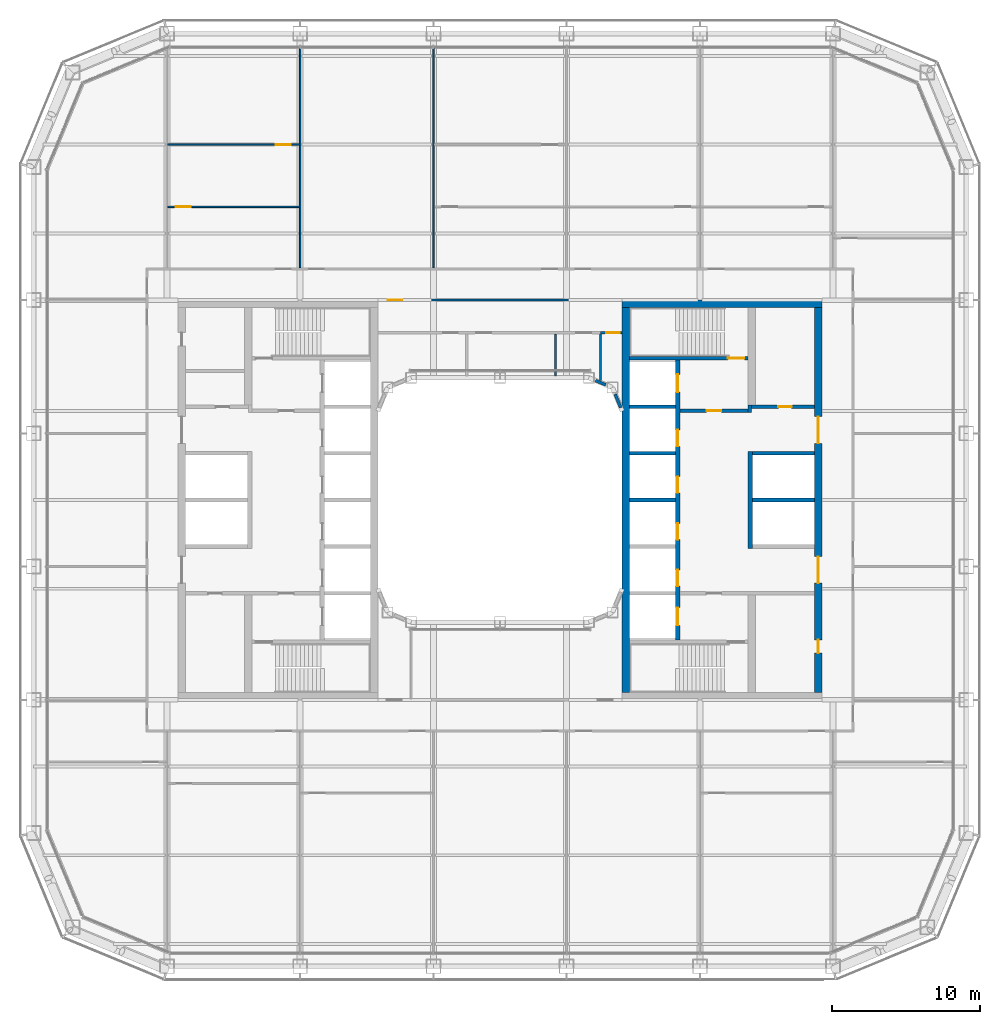
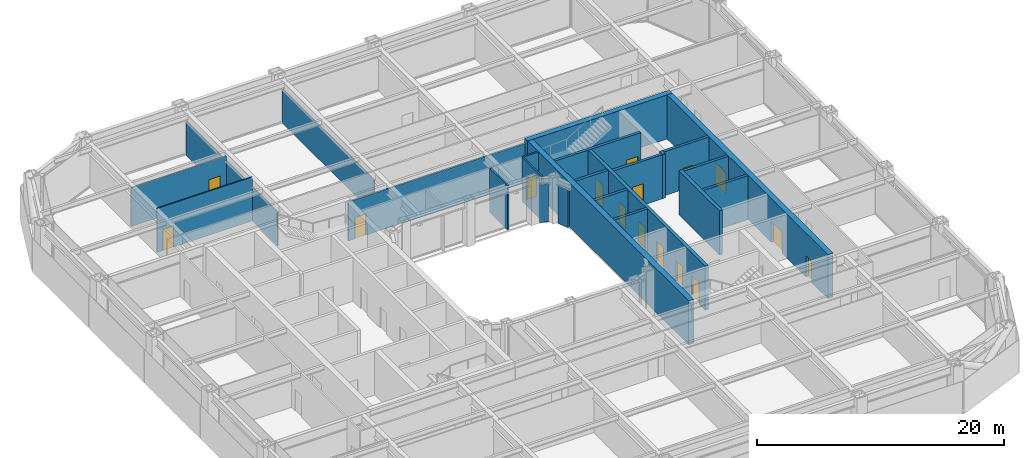
# One storey, part 14 of 25: 24 walls, 16 doors, 16 openings.
"""IFC4 building model written with IfcOpenShell, lengths in metres."""

from ifc_helpers import new_model, si_unit, direction, frame, frame_2d, origin, place, context, subcontext, project, spatial, rectangle, extrude, material, layer, layer_set, type_object, element, fill, save


model = new_model("IFC4")

# Units and contexts
model_context = context("Model", 3, precision=1e-05, world=origin(), true_north=direction((0.0, 1.0)))
body_context = subcontext(model_context, "Body", "Model", "MODEL_VIEW")
ifc_project = project(units=[si_unit("LENGTHUNIT", "METRE"), si_unit("AREAUNIT", "SQUARE_METRE"), si_unit("VOLUMEUNIT", "CUBIC_METRE"), si_unit("PLANEANGLEUNIT", "RADIAN"), si_unit("MASSUNIT", "GRAM", prefix="KILO")], contexts=[model_context])

# Site, building, storey
site_placement = place(None, origin())
site = spatial("IfcSite", under=ifc_project, at=site_placement, CompositionType="ELEMENT")
building_placement = place(site_placement, origin())
building = spatial("IfcBuilding", under=site, at=building_placement, Name="Siwar Civic Tower", CompositionType="ELEMENT")
storey_placement = place(building_placement, frame((0.0, 0.0, 58.199951171875)))
storey = spatial("IfcBuildingStorey", under=building, at=storey_placement, Name="L12", CompositionType="ELEMENT", Elevation=58.199951171875)

# Wall, opening, door
ifc_material_1 = material(Name="Gypsum board on steel studs", Category="steel")
ifc_layer_1 = layer(ifc_material_1, 0.14990234375)
ifc_layer_set_1 = layer_set([ifc_layer_1], Name="Gypsum board on steel studs")
wall_type_1 = type_object("IfcWallType", Name="COMPARTMENT PARTITION 150 EI 60", PredefinedType="PARTITIONING", material=ifc_layer_set_1)
wall_1_placement = place(storey_placement, frame((6.780029296875, 11.300048828125, 0.0), z_axis=(0.0, 0.0, 1.0), x_axis=(1.0, 0.0, 0.0)))
wall_1 = element("IfcWall", 1, at=wall_1_placement, inside=storey, type_object=wall_type_1, Name="L12/wall/P15", PredefinedType="PARTITIONING", context=body_context, shape_type="SweptSolid", body=[
    extrude(rectangle(XDim=1.469970703125, YDim=0.14990234375, at=frame_2d((0.73486328125, 0.0))), origin(), (0.0, 0.0, 1.0), 4.35009765625),
])
opening_1_placement = place(wall_1_placement, frame((0.39990234375, 0.0, 0.0)))
opening_1 = element("IfcOpeningElement", 2, at=opening_1_placement, cuts=wall_1, Name="Opening D4", PredefinedType="OPENING", context=body_context, shape_type="SweptSolid", body=[
    extrude(rectangle(XDim=0.89990234375, YDim=2.10009765625, at=frame_2d((0.449951171875, 1.050048828125))), frame((0.0, 0.0849609375, 0.0), z_axis=(0.0, -1.0, 0.0), x_axis=(1.0, 0.0, 0.0)), (0.0, 0.0, 1.0), 0.169921875),
])
ifc_material_2 = material(Name="Timber, painted", Category="wood")
door_type_1 = type_object("IfcDoorType", Name="DOOR 900 X 2100 FD60", OperationType="SINGLE_SWING_LEFT", PredefinedType="DOOR", material=ifc_material_2)
door_1_placement = place(opening_1_placement, origin())
door_1 = element("IfcDoor", 3, at=door_1_placement, inside=storey, type_object=door_type_1, Name="L12-D37", OperationType="SINGLE_SWING_LEFT", OverallHeight=2.10009765625, OverallWidth=0.89990234375, PredefinedType="DOOR", context=body_context, shape_type="SweptSolid", body=[
    extrude(rectangle(XDim=0.89990234375, YDim=2.10009765625, at=frame_2d((0.449951171875, 1.050048828125))), frame((0.0, 0.02490234375, 0.0), z_axis=(0.0, -1.0, 0.0), x_axis=(1.0, 0.0, 0.0)), (0.0, 0.0, 1.0), 0.050048828125),
])
fill(opening_1, door_1)

# Wall
wall_2_placement = place(storey_placement, frame((6.780029296875, 8.0791015625, 0.0), z_axis=(0.0, 0.0, 1.0), x_axis=(0.0, 1.0, 0.0)))
element("IfcWall", 4, at=wall_2_placement, inside=storey, type_object=wall_type_1, Name="L12/wall/P38", PredefinedType="PARTITIONING", context=body_context, shape_type="SweptSolid", body=[
    extrude(rectangle(XDim=3.14599609375, YDim=0.14990234375, at=frame_2d((1.572998046875, 0.0))), origin(), (0.0, 0.0, 1.0), 4.35009765625),
])

# Wall, opening, door
ifc_material_3 = material(Name="Concrete C60/75", Category="concrete")
ifc_layer_2 = layer(ifc_material_3, 0.25)
ifc_layer_set_2 = layer_set([ifc_layer_2], Name="Concrete C60/75")
wall_type_2 = type_object("IfcWallType", Name="CORE-WALL-RC250", PredefinedType="SHEAR", material=ifc_layer_set_2)
wall_3_placement = place(storey_placement, frame((12.14990234375, 6.02490234375, 0.0), z_axis=(0.0, 0.0, 1.0), x_axis=(1.0, 0.0, 0.0)))
wall_3 = element("IfcWall", 5, at=wall_3_placement, inside=storey, type_object=wall_type_2, Name="Core wall E", PredefinedType="SHEAR", context=body_context, shape_type="SweptSolid", body=[
    extrude(rectangle(XDim=4.60009765625, YDim=0.25, at=frame_2d((2.300048828125, 0.0))), origin(), (0.0, 0.0, 1.0), 4.35009765625),
])
opening_2_placement = place(wall_3_placement, frame((1.800048828125, 0.0, 0.0)))
opening_2 = element("IfcOpeningElement", 6, at=opening_2_placement, cuts=wall_3, Name="Opening L12-CE01", PredefinedType="OPENING", context=body_context, shape_type="SweptSolid", body=[
    extrude(rectangle(XDim=1.0, YDim=2.10009765625, at=frame_2d((0.5, 1.050048828125))), frame((0.0, 0.135009765625, 0.0), z_axis=(0.0, -1.0, 0.0), x_axis=(1.0, 0.0, 0.0)), (0.0, 0.0, 1.0), 0.27001953125),
])
ifc_material_4 = material(Name="Steel door leaf", Category="steel")
door_type_2 = type_object("IfcDoorType", Name="CORE-DOOR-FD30S", OperationType="SINGLE_SWING_LEFT", PredefinedType="DOOR", material=ifc_material_4)
door_2_placement = place(opening_2_placement, origin())
door_2 = element("IfcDoor", 7, at=door_2_placement, inside=storey, type_object=door_type_2, Name="Firefighting lobby door L12-CE01", OperationType="SINGLE_SWING_RIGHT", OverallHeight=2.10009765625, OverallWidth=1.0, PredefinedType="DOOR", context=body_context, shape_type="SweptSolid", body=[
    extrude(rectangle(XDim=1.0, YDim=2.10009765625, at=frame_2d((0.5, 1.050048828125))), frame((0.0, 0.02490234375, 0.0), z_axis=(0.0, -1.0, 0.0), x_axis=(1.0, 0.0, 0.0)), (0.0, 0.0, 1.0), 0.050048828125),
])
fill(opening_2, door_2)

# Wall
wall_4_placement = place(storey_placement, frame((16.875, 5.89990234375, 0.0), z_axis=(0.0, 0.0, 1.0), x_axis=(0.0, 1.0, 0.0)))
element("IfcWall", 8, at=wall_4_placement, inside=storey, type_object=wall_type_2, Name="Core wall E", PredefinedType="SHEAR", context=body_context, shape_type="SweptSolid", body=[
    extrude(rectangle(XDim=0.525146484375, YDim=0.25, at=frame_2d((0.2626953125, 0.0))), origin(), (0.0, 0.0, 1.0), 4.35009765625),
])

# Wall, opening, door
wall_5_placement = place(storey_placement, frame((17.0, 6.300048828125, 0.0), z_axis=(0.0, 0.0, 1.0), x_axis=(1.0, 0.0, 0.0)))
wall_5 = element("IfcWall", 9, at=wall_5_placement, inside=storey, type_object=wall_type_2, Name="Core wall E", PredefinedType="SHEAR", context=body_context, shape_type="SweptSolid", body=[
    extrude(rectangle(XDim=4.25, YDim=0.25, at=frame_2d((2.125, 0.0))), origin(), (0.0, 0.0, 1.0), 4.35009765625),
])
opening_3_placement = place(wall_5_placement, frame((1.800048828125, 0.0, 0.0)))
opening_3 = element("IfcOpeningElement", 10, at=opening_3_placement, cuts=wall_5, Name="Opening L12-CE13", PredefinedType="OPENING", context=body_context, shape_type="SweptSolid", body=[
    extrude(rectangle(XDim=0.89990234375, YDim=2.10009765625, at=frame_2d((0.449951171875, 1.050048828125))), frame((0.0, 0.135009765625, 0.0), z_axis=(0.0, -1.0, 0.0), x_axis=(1.0, 0.0, 0.0)), (0.0, 0.0, 1.0), 0.27001953125),
])
ifc_material_5 = material(Name="Steel door leaf", Category="steel")
door_type_3 = type_object("IfcDoorType", Name="CORE-DOOR-ROOM", OperationType="SINGLE_SWING_LEFT", PredefinedType="DOOR", material=ifc_material_5)
door_3_placement = place(opening_3_placement, origin())
door_3 = element("IfcDoor", 11, at=door_3_placement, inside=storey, type_object=door_type_3, Name="Core room door L12-CE13", OperationType="SINGLE_SWING_RIGHT", OverallHeight=2.10009765625, OverallWidth=0.89990234375, PredefinedType="DOOR", context=body_context, shape_type="SweptSolid", body=[
    extrude(rectangle(XDim=0.89990234375, YDim=2.10009765625, at=frame_2d((0.449951171875, 1.050048828125))), frame((0.0, 0.02490234375, 0.0), z_axis=(0.0, -1.0, 0.0), x_axis=(1.0, 0.0, 0.0)), (0.0, 0.0, 1.0), 0.050048828125),
])
fill(opening_3, door_3)

# Walls
for number, where, z_axis, x_axis, name in (
    (12, (17.050048828125, 0.0, 0.0), (0.0, 0.0, 1.0), (1.0, 0.0, 0.0), "Core wall E"),
    (13, (17.050048828125, 3.14990234375, 0.0), (0.0, 0.0, 1.0), (1.0, 0.0, 0.0), "Core wall E"),
):
    element("IfcWall", number, at=place(storey_placement, frame(where, z_axis=z_axis, x_axis=x_axis)), inside=storey, type_object=wall_type_2, Name=name, PredefinedType="SHEAR", context=body_context, shape_type="SweptSolid", body=[
        extrude(rectangle(XDim=4.199951171875, YDim=0.25, at=frame_2d((2.10009765625, 0.0))), origin(), (0.0, 0.0, 1.0), 4.35009765625),
    ])
for number, where, z_axis, x_axis, name in (
    (14, (8.75, 0.0, 0.0), (0.0, 0.0, 1.0), (1.0, 0.0, 0.0), "Core wall E"),
    (15, (8.75, 3.14990234375, 0.0), (0.0, 0.0, 1.0), (1.0, 0.0, 0.0), "Core wall E"),
    (16, (8.75, 6.300048828125, 0.0), (0.0, 0.0, 1.0), (1.0, 0.0, 0.0), "Core wall E"),
):
    element("IfcWall", number, at=place(storey_placement, frame(where, z_axis=z_axis, x_axis=x_axis)), inside=storey, type_object=wall_type_2, Name=name, PredefinedType="SHEAR", context=body_context, shape_type="SweptSolid", body=[
        extrude(rectangle(XDim=3.10009765625, YDim=0.25, at=frame_2d((1.550048828125, 0.0))), origin(), (0.0, 0.0, 1.0), 4.35009765625),
    ])

# Wall, opening, door
wall_6_placement = place(storey_placement, frame((8.75, 9.574951171875, 0.0), z_axis=(0.0, 0.0, 1.0), x_axis=(1.0, 0.0, 0.0)))
wall_6 = element("IfcWall", 17, at=wall_6_placement, inside=storey, type_object=wall_type_2, Name="Core wall E", PredefinedType="SHEAR", context=body_context, shape_type="SweptSolid", body=[
    extrude(rectangle(XDim=8.0, YDim=0.25, at=frame_2d((4.0, 0.0))), origin(), (0.0, 0.0, 1.0), 4.35009765625),
])
opening_4_placement = place(wall_6_placement, frame((6.64990234375, 0.0, 0.0)))
opening_4 = element("IfcOpeningElement", 18, at=opening_4_placement, cuts=wall_6, Name="Opening L12-CE03", PredefinedType="OPENING", context=body_context, shape_type="SweptSolid", body=[
    extrude(rectangle(XDim=1.10009765625, YDim=2.10009765625, at=frame_2d((0.550048828125, 1.050048828125))), frame((0.0, 0.135009765625, 0.0), z_axis=(0.0, -1.0, 0.0), x_axis=(1.0, 0.0, 0.0)), (0.0, 0.0, 1.0), 0.27001953125),
])
ifc_material_6 = material(Name="Steel door leaf", Category="steel")
door_type_4 = type_object("IfcDoorType", Name="CORE-DOOR-FD60S", OperationType="SINGLE_SWING_LEFT", PredefinedType="DOOR", material=ifc_material_6)
door_4_placement = place(opening_4_placement, origin())
door_4 = element("IfcDoor", 19, at=door_4_placement, inside=storey, type_object=door_type_4, Name="Stair door L12-CE03", OperationType="SINGLE_SWING_LEFT", OverallHeight=2.10009765625, OverallWidth=1.10009765625, PredefinedType="DOOR", context=body_context, shape_type="SweptSolid", body=[
    extrude(rectangle(XDim=1.10009765625, YDim=2.10009765625, at=frame_2d((0.550048828125, 1.050048828125))), frame((0.0, 0.02490234375, 0.0), z_axis=(0.0, -1.0, 0.0), x_axis=(1.0, 0.0, 0.0)), (0.0, 0.0, 1.0), 0.050048828125),
])
fill(opening_4, door_4)

# Wall, openings, doors
ifc_material_7 = material(Name="Concrete C60/75", Category="concrete")
ifc_layer_3 = layer(ifc_material_7, 0.300048828125)
ifc_layer_set_3 = layer_set([ifc_layer_3], Name="Concrete C60/75")
wall_type_3 = type_object("IfcWallType", Name="CORE-WALL-RC300", PredefinedType="SHEAR", material=ifc_layer_set_3)
wall_7_placement = place(storey_placement, frame((12.0, -9.449951171875, 0.0), z_axis=(0.0, 0.0, 1.0), x_axis=(0.0, 1.0, 0.0)))
wall_7 = element("IfcWall", 20, at=wall_7_placement, inside=storey, type_object=wall_type_3, Name="Core wall E", PredefinedType="SHEAR", context=body_context, shape_type="SweptSolid", body=[
    extrude(rectangle(XDim=18.89990234375, YDim=0.300048828125, at=frame_2d((9.449951171875, 0.0))), origin(), (0.0, 0.0, 1.0), 4.35009765625),
])
opening_5_placement = place(wall_7_placement, frame((3.625, 0.0, 0.0)))
opening_5 = element("IfcOpeningElement", 21, at=opening_5_placement, cuts=wall_7, Name="Opening L12-CE07", PredefinedType="OPENING", context=body_context, shape_type="SweptSolid", body=[
    extrude(rectangle(XDim=1.10009765625, YDim=2.10009765625, at=frame_2d((0.550048828125, 1.050048828125))), frame((0.0, 0.16015625, 0.0), z_axis=(0.0, -1.0, 0.0), x_axis=(1.0, 0.0, 0.0)), (0.0, 0.0, 1.0), 0.320068359375),
])
opening_6_placement = place(wall_7_placement, frame((6.77490234375, 0.0, 0.0)))
opening_6 = element("IfcOpeningElement", 22, at=opening_6_placement, cuts=wall_7, Name="Opening L12-CE08", PredefinedType="OPENING", context=body_context, shape_type="SweptSolid", body=[
    extrude(rectangle(XDim=1.10009765625, YDim=2.10009765625, at=frame_2d((0.550048828125, 1.050048828125))), frame((0.0, 0.16015625, 0.0), z_axis=(0.0, -1.0, 0.0), x_axis=(1.0, 0.0, 0.0)), (0.0, 0.0, 1.0), 0.320068359375),
])
opening_7_placement = place(wall_7_placement, frame((9.925048828125, 0.0, 0.0)))
opening_7 = element("IfcOpeningElement", 23, at=opening_7_placement, cuts=wall_7, Name="Opening L12-CE09", PredefinedType="OPENING", context=body_context, shape_type="SweptSolid", body=[
    extrude(rectangle(XDim=1.10009765625, YDim=2.10009765625, at=frame_2d((0.550048828125, 1.050048828125))), frame((0.0, 0.16015625, 0.0), z_axis=(0.0, -1.0, 0.0), x_axis=(1.0, 0.0, 0.0)), (0.0, 0.0, 1.0), 0.320068359375),
])
opening_8_placement = place(wall_7_placement, frame((13.074951171875, 0.0, 0.0)))
opening_8 = element("IfcOpeningElement", 24, at=opening_8_placement, cuts=wall_7, Name="Opening L12-CE10", PredefinedType="OPENING", context=body_context, shape_type="SweptSolid", body=[
    extrude(rectangle(XDim=1.10009765625, YDim=2.10009765625, at=frame_2d((0.550048828125, 1.050048828125))), frame((0.0, 0.16015625, 0.0), z_axis=(0.0, -1.0, 0.0), x_axis=(1.0, 0.0, 0.0)), (0.0, 0.0, 1.0), 0.320068359375),
])
opening_9_placement = place(wall_7_placement, frame((16.72509765625, 0.0, 0.0)))
opening_9 = element("IfcOpeningElement", 25, at=opening_9_placement, cuts=wall_7, Name="Opening L12-CE11", PredefinedType="OPENING", context=body_context, shape_type="SweptSolid", body=[
    extrude(rectangle(XDim=1.199951171875, YDim=2.10009765625, at=frame_2d((0.60009765625, 1.050048828125))), frame((0.0, 0.16015625, 0.0), z_axis=(0.0, -1.0, 0.0), x_axis=(1.0, 0.0, 0.0)), (0.0, 0.0, 1.0), 0.320068359375),
])
opening_10_placement = place(wall_7_placement, frame((0.97509765625, 0.0, 0.0)))
opening_10 = element("IfcOpeningElement", 26, at=opening_10_placement, cuts=wall_7, Name="Opening L12-CE12", PredefinedType="OPENING", context=body_context, shape_type="SweptSolid", body=[
    extrude(rectangle(XDim=1.199951171875, YDim=2.10009765625, at=frame_2d((0.60009765625, 1.050048828125))), frame((0.0, 0.16015625, 0.0), z_axis=(0.0, -1.0, 0.0), x_axis=(1.0, 0.0, 0.0)), (0.0, 0.0, 1.0), 0.320068359375),
])
ifc_material_8 = material(Name="Steel door leaf", Category="steel")
door_type_5 = type_object("IfcDoorType", Name="CORE-DOOR-LD", OperationType="DOUBLE_DOOR_SLIDING", PredefinedType="DOOR", material=ifc_material_8)
door_5_placement = place(opening_5_placement, origin())
door_5 = element("IfcDoor", 27, at=door_5_placement, inside=storey, type_object=door_type_5, Name="Landing door LR5 L12-CE07", OperationType="DOUBLE_DOOR_SLIDING", OverallHeight=2.10009765625, OverallWidth=1.10009765625, PredefinedType="DOOR", context=body_context, shape_type="SweptSolid", body=[
    extrude(rectangle(XDim=1.10009765625, YDim=2.10009765625, at=frame_2d((0.550048828125, 1.050048828125))), frame((0.0, 0.02490234375, 0.0), z_axis=(0.0, -1.0, 0.0), x_axis=(1.0, 0.0, 0.0)), (0.0, 0.0, 1.0), 0.050048828125),
])
fill(opening_5, door_5)
door_6_placement = place(opening_6_placement, origin())
door_6 = element("IfcDoor", 28, at=door_6_placement, inside=storey, type_object=door_type_5, Name="Landing door LR6 L12-CE08", OperationType="DOUBLE_DOOR_SLIDING", OverallHeight=2.10009765625, OverallWidth=1.10009765625, PredefinedType="DOOR", context=body_context, shape_type="SweptSolid", body=[
    extrude(rectangle(XDim=1.10009765625, YDim=2.10009765625, at=frame_2d((0.550048828125, 1.050048828125))), frame((0.0, 0.02490234375, 0.0), z_axis=(0.0, -1.0, 0.0), x_axis=(1.0, 0.0, 0.0)), (0.0, 0.0, 1.0), 0.050048828125),
])
fill(opening_6, door_6)
door_7_placement = place(opening_7_placement, origin())
door_7 = element("IfcDoor", 29, at=door_7_placement, inside=storey, type_object=door_type_5, Name="Landing door LR7 L12-CE09", OperationType="DOUBLE_DOOR_SLIDING", OverallHeight=2.10009765625, OverallWidth=1.10009765625, PredefinedType="DOOR", context=body_context, shape_type="SweptSolid", body=[
    extrude(rectangle(XDim=1.10009765625, YDim=2.10009765625, at=frame_2d((0.550048828125, 1.050048828125))), frame((0.0, 0.02490234375, 0.0), z_axis=(0.0, -1.0, 0.0), x_axis=(1.0, 0.0, 0.0)), (0.0, 0.0, 1.0), 0.050048828125),
])
fill(opening_7, door_7)
door_8_placement = place(opening_8_placement, origin())
door_8 = element("IfcDoor", 30, at=door_8_placement, inside=storey, type_object=door_type_5, Name="Landing door LR8 L12-CE10", OperationType="DOUBLE_DOOR_SLIDING", OverallHeight=2.10009765625, OverallWidth=1.10009765625, PredefinedType="DOOR", context=body_context, shape_type="SweptSolid", body=[
    extrude(rectangle(XDim=1.10009765625, YDim=2.10009765625, at=frame_2d((0.550048828125, 1.050048828125))), frame((0.0, 0.02490234375, 0.0), z_axis=(0.0, -1.0, 0.0), x_axis=(1.0, 0.0, 0.0)), (0.0, 0.0, 1.0), 0.050048828125),
])
fill(opening_8, door_8)
ifc_material_9 = material(Name="Steel door leaf", Category="steel")
door_type_6 = type_object("IfcDoorType", Name="CORE-DOOR-LDW", OperationType="DOUBLE_DOOR_SLIDING", PredefinedType="DOOR", material=ifc_material_9)
door_9_placement = place(opening_9_placement, origin())
door_9 = element("IfcDoor", 31, at=door_9_placement, inside=storey, type_object=door_type_6, Name="Landing door FF2 L12-CE11", OperationType="DOUBLE_DOOR_SLIDING", OverallHeight=2.10009765625, OverallWidth=1.199951171875, PredefinedType="DOOR", context=body_context, shape_type="SweptSolid", body=[
    extrude(rectangle(XDim=1.199951171875, YDim=2.10009765625, at=frame_2d((0.60009765625, 1.050048828125))), frame((0.0, 0.02490234375, 0.0), z_axis=(0.0, -1.0, 0.0), x_axis=(1.0, 0.0, 0.0)), (0.0, 0.0, 1.0), 0.050048828125),
])
fill(opening_9, door_9)
door_10_placement = place(opening_10_placement, origin())
door_10 = element("IfcDoor", 32, at=door_10_placement, inside=storey, type_object=door_type_6, Name="Landing door SV2 L12-CE12", OperationType="DOUBLE_DOOR_SLIDING", OverallHeight=2.10009765625, OverallWidth=1.199951171875, PredefinedType="DOOR", context=body_context, shape_type="SweptSolid", body=[
    extrude(rectangle(XDim=1.199951171875, YDim=2.10009765625, at=frame_2d((0.60009765625, 1.050048828125))), frame((0.0, 0.02490234375, 0.0), z_axis=(0.0, -1.0, 0.0), x_axis=(1.0, 0.0, 0.0)), (0.0, 0.0, 1.0), 0.050048828125),
])
fill(opening_10, door_10)

# Wall
wall_8_placement = place(storey_placement, frame((16.89990234375, -3.27490234375, 0.0), z_axis=(0.0, 0.0, 1.0), x_axis=(0.0, 1.0, 0.0)))
element("IfcWall", 33, at=wall_8_placement, inside=storey, type_object=wall_type_3, Name="Core wall E", PredefinedType="SHEAR", context=body_context, shape_type="SweptSolid", body=[
    extrude(rectangle(XDim=6.5498046875, YDim=0.300048828125, at=frame_2d((3.27490234375, 0.0))), origin(), (0.0, 0.0, 1.0), 4.35009765625),
])

# Wall, openings, doors
ifc_material_10 = material(Name="Concrete C60/75", Category="concrete")
ifc_layer_4 = layer(ifc_material_10, 0.5)
ifc_layer_set_4 = layer_set([ifc_layer_4], Name="Concrete C60/75")
wall_type_4 = type_object("IfcWallType", Name="CORE-WALL-RC500", PredefinedType="SHEAR", material=ifc_layer_set_4)
wall_9_placement = place(storey_placement, frame((21.5, -13.0, 0.0), z_axis=(0.0, 0.0, 1.0), x_axis=(0.0, 1.0, 0.0)))
wall_9 = element("IfcWall", 34, at=wall_9_placement, inside=storey, type_object=wall_type_4, Name="Core wall E", PredefinedType="SHEAR", context=body_context, shape_type="SweptSolid", body=[
    extrude(rectangle(XDim=26.0, YDim=0.5, at=frame_2d((13.0, 0.0))), origin(), (0.0, 0.0, 1.0), 4.35009765625),
])
opening_11_placement = place(wall_9_placement, frame((16.824951171875, 0.0, 0.0)))
opening_11 = element("IfcOpeningElement", 35, at=opening_11_placement, cuts=wall_9, Name="Opening L12-CE05", PredefinedType="OPENING", context=body_context, shape_type="SweptSolid", body=[
    extrude(rectangle(XDim=1.800048828125, YDim=2.10009765625, at=frame_2d((0.89990234375, 1.050048828125))), frame((0.0, 0.260009765625, 0.0), z_axis=(0.0, -1.0, 0.0), x_axis=(1.0, 0.0, 0.0)), (0.0, 0.0, 1.0), 0.52001953125),
])
opening_12_placement = place(wall_9_placement, frame((7.375, 0.0, 0.0)))
opening_12 = element("IfcOpeningElement", 36, at=opening_12_placement, cuts=wall_9, Name="Opening L12-CE06", PredefinedType="OPENING", context=body_context, shape_type="SweptSolid", body=[
    extrude(rectangle(XDim=1.800048828125, YDim=2.10009765625, at=frame_2d((0.89990234375, 1.050048828125))), frame((0.0, 0.260009765625, 0.0), z_axis=(0.0, -1.0, 0.0), x_axis=(1.0, 0.0, 0.0)), (0.0, 0.0, 1.0), 0.52001953125),
])
opening_13_placement = place(wall_9_placement, frame((2.64990234375, 0.0, 0.0)))
opening_13 = element("IfcOpeningElement", 37, at=opening_13_placement, cuts=wall_9, Name="Opening L12-CE14", PredefinedType="OPENING", context=body_context, shape_type="SweptSolid", body=[
    extrude(rectangle(XDim=0.89990234375, YDim=2.10009765625, at=frame_2d((0.449951171875, 1.050048828125))), frame((0.0, 0.260009765625, 0.0), z_axis=(0.0, -1.0, 0.0), x_axis=(1.0, 0.0, 0.0)), (0.0, 0.0, 1.0), 0.52001953125),
])
ifc_material_11 = material(Name="Steel door leaf", Category="steel")
door_type_7 = type_object("IfcDoorType", Name="CORE-DOOR-PORT", OperationType="DOUBLE_DOOR_DOUBLE_SWING", PredefinedType="DOOR", material=ifc_material_11)
door_11_placement = place(opening_11_placement, origin())
door_11 = element("IfcDoor", 38, at=door_11_placement, inside=storey, type_object=door_type_7, Name="Core entrance door L12-CE05", OperationType="DOUBLE_DOOR_DOUBLE_SWING", OverallHeight=2.10009765625, OverallWidth=1.800048828125, PredefinedType="DOOR", context=body_context, shape_type="SweptSolid", body=[
    extrude(rectangle(XDim=1.800048828125, YDim=2.10009765625, at=frame_2d((0.89990234375, 1.050048828125))), frame((0.0, 0.02490234375, 0.0), z_axis=(0.0, -1.0, 0.0), x_axis=(1.0, 0.0, 0.0)), (0.0, 0.0, 1.0), 0.050048828125),
])
fill(opening_11, door_11)
door_12_placement = place(opening_12_placement, origin())
door_12 = element("IfcDoor", 39, at=door_12_placement, inside=storey, type_object=door_type_7, Name="Core entrance door L12-CE06", OperationType="DOUBLE_DOOR_DOUBLE_SWING", OverallHeight=2.10009765625, OverallWidth=1.800048828125, PredefinedType="DOOR", context=body_context, shape_type="SweptSolid", body=[
    extrude(rectangle(XDim=1.800048828125, YDim=2.10009765625, at=frame_2d((0.89990234375, 1.050048828125))), frame((0.0, 0.02490234375, 0.0), z_axis=(0.0, -1.0, 0.0), x_axis=(1.0, 0.0, 0.0)), (0.0, 0.0, 1.0), 0.050048828125),
])
fill(opening_12, door_12)
door_13_placement = place(opening_13_placement, origin())
door_13 = element("IfcDoor", 40, at=door_13_placement, inside=storey, type_object=door_type_3, Name="Core room door L12-CE14", OperationType="SINGLE_SWING_RIGHT", OverallHeight=2.10009765625, OverallWidth=0.89990234375, PredefinedType="DOOR", context=body_context, shape_type="SweptSolid", body=[
    extrude(rectangle(XDim=0.89990234375, YDim=2.10009765625, at=frame_2d((0.449951171875, 1.050048828125))), frame((0.0, 0.02490234375, 0.0), z_axis=(0.0, -1.0, 0.0), x_axis=(1.0, 0.0, 0.0)), (0.0, 0.0, 1.0), 0.050048828125),
])
fill(opening_13, door_13)

# Walls
wall_10_placement = place(storey_placement, frame((8.25, 13.25, 0.0), z_axis=(0.0, 0.0, 1.0), x_axis=(1.0, 0.0, 0.0)))
element("IfcWall", 41, at=wall_10_placement, inside=storey, type_object=wall_type_4, Name="Core wall E", PredefinedType="SHEAR", context=body_context, shape_type="SweptSolid", body=[
    extrude(rectangle(XDim=13.5, YDim=0.5, at=frame_2d((6.75, 0.0))), origin(), (0.0, 0.0, 1.0), 4.35009765625),
])
ifc_material_12 = material(Name="Concrete C60/75", Category="concrete")
ifc_layer_5 = layer(ifc_material_12, 0.5)
ifc_layer_set_5 = layer_set([ifc_layer_5], Name="Concrete C60/75")
wall_type_5 = type_object("IfcWallType", Name="CORE-WALL-RC500-EXT", PredefinedType="SHEAR", material=ifc_layer_set_5)
wall_11_placement = place(storey_placement, frame((8.5, -13.0, 0.0), z_axis=(0.0, 0.0, 1.0), x_axis=(0.0, 1.0, 0.0)))
element("IfcWall", 42, at=wall_11_placement, inside=storey, type_object=wall_type_5, Name="Core wall E", PredefinedType="SHEAR", context=body_context, shape_type="SweptSolid", body=[
    extrude(rectangle(XDim=26.0, YDim=0.5, at=frame_2d((13.0, 0.0))), origin(), (0.0, 0.0, 1.0), 4.35009765625),
])

# Wall, opening, door
ifc_material_13 = material(Name="Gypsum board on steel studs", Category="steel")
ifc_layer_6 = layer(ifc_material_13, 0.14990234375)
ifc_layer_set_6 = layer_set([ifc_layer_6], Name="Gypsum board on steel studs")
wall_type_6 = type_object("IfcWallType", Name="CORRIDOR PARTITION 150 EI 30", PredefinedType="PARTITIONING", material=ifc_layer_set_6)
wall_12_placement = place(storey_placement, frame((-8.25, 13.5, 0.0), z_axis=(0.0, 0.0, 1.0), x_axis=(1.0, 0.0, 0.0)))
wall_12 = element("IfcWall", 43, at=wall_12_placement, inside=storey, type_object=wall_type_6, Name="L12/wall/P18", PredefinedType="PARTITIONING", context=body_context, shape_type="SweptSolid", body=[
    extrude(rectangle(XDim=16.5, YDim=0.14990234375, at=frame_2d((8.25, 0.0))), origin(), (0.0, 0.0, 1.0), 3.85009765625),
])
opening_14_placement = place(wall_12_placement, frame((0.64990234375, 0.0, 0.0)))
opening_14 = element("IfcOpeningElement", 44, at=opening_14_placement, cuts=wall_12, Name="Opening D1", PredefinedType="OPENING", context=body_context, shape_type="SweptSolid", body=[
    extrude(rectangle(XDim=1.0, YDim=2.10009765625, at=frame_2d((0.5, 1.050048828125))), frame((0.0, 0.0849609375, 0.0), z_axis=(0.0, -1.0, 0.0), x_axis=(1.0, 0.0, 0.0)), (0.0, 0.0, 1.0), 0.169921875),
])
ifc_material_14 = material(Name="Timber, painted", Category="wood")
door_type_8 = type_object("IfcDoorType", Name="DOOR 1000 X 2100 FD30", OperationType="SINGLE_SWING_LEFT", PredefinedType="DOOR", material=ifc_material_14)
door_14_placement = place(opening_14_placement, origin())
door_14 = element("IfcDoor", 45, at=door_14_placement, inside=storey, type_object=door_type_8, Name="L12-D33", OperationType="SINGLE_SWING_LEFT", OverallHeight=2.10009765625, OverallWidth=1.0, PredefinedType="DOOR", context=body_context, shape_type="SweptSolid", body=[
    extrude(rectangle(XDim=1.0, YDim=2.10009765625, at=frame_2d((0.5, 1.050048828125))), frame((0.0, 0.02490234375, 0.0), z_axis=(0.0, -1.0, 0.0), x_axis=(1.0, 0.0, 0.0)), (0.0, 0.0, 1.0), 0.050048828125),
])
fill(opening_14, door_14)

# Walls
wall_13_placement = place(storey_placement, frame((3.75, 8.3701171875, 0.0), z_axis=(0.0, 0.0, 1.0), x_axis=(0.0, 1.0, 0.0)))
element("IfcWall", 46, at=wall_13_placement, inside=storey, type_object=wall_type_6, Name="L12/wall/P34", PredefinedType="PARTITIONING", context=body_context, shape_type="SweptSolid", body=[
    extrude(rectangle(XDim=2.85498046875, YDim=0.14990234375, at=frame_2d((1.427490234375, 0.0))), origin(), (0.0, 0.0, 1.0), 4.35009765625),
])
ifc_material_15 = material(Name="Aluminium clad insulated panel", Category="aluminium")
ifc_layer_7 = layer(ifc_material_15, 0.199951171875)
ifc_layer_set_7 = layer_set([ifc_layer_7], Name="Aluminium clad insulated panel")
wall_type_7 = type_object("IfcWallType", Name="ENV-WALL-WELL", PredefinedType="STANDARD", material=ifc_layer_set_7)
wall_14_placement = place(storey_placement, frame((8.154296875, 6.23095703125, 0.0), z_axis=(0.0, 0.0, 1.0), x_axis=(-0.382549378284, 0.923935048136, 0.0)))
element("IfcWall", 47, at=wall_14_placement, inside=storey, type_object=wall_type_7, Name="Light well corner wall NE1", PredefinedType="STANDARD", context=body_context, shape_type="SweptSolid", body=[
    extrude(rectangle(XDim=0.982177734375, YDim=0.199951171875, at=frame_2d((0.4912109375, 0.0))), origin(), (0.0, 0.0, 1.0), 3.72998046875),
])
wall_15_placement = place(storey_placement, frame((7.138427734375, 7.778564453125, 0.0), z_axis=(0.0, 0.0, 1.0), x_axis=(-0.923940677943, 0.382535780864, 0.0)))
element("IfcWall", 48, at=wall_15_placement, inside=storey, type_object=wall_type_7, Name="Light well corner wall NE2", PredefinedType="STANDARD", context=body_context, shape_type="SweptSolid", body=[
    extrude(rectangle(XDim=0.7421875, YDim=0.199951171875, at=frame_2d((0.37109375, 0.0))), origin(), (0.0, 0.0, 1.0), 3.72998046875),
])

# Wall, opening, door
ifc_material_16 = material(Name="Gypsum board on steel studs", Category="steel")
ifc_layer_8 = layer(ifc_material_16, 0.10009765625)
ifc_layer_set_8 = layer_set([ifc_layer_8], Name="Gypsum board on steel studs")
wall_type_8 = type_object("IfcWallType", Name="PARTITION 100 GYPSUM", PredefinedType="PARTITIONING", material=ifc_layer_set_8)
wall_16_placement = place(storey_placement, frame((-22.449951171875, 19.800048828125, 0.0), z_axis=(0.0, 0.0, 1.0), x_axis=(1.0, 0.0, 0.0)))
wall_16 = element("IfcWall", 49, at=wall_16_placement, inside=storey, type_object=wall_type_8, Name="L12/wall/P21", PredefinedType="PARTITIONING", context=body_context, shape_type="SweptSolid", body=[
    extrude(rectangle(XDim=8.89990234375, YDim=0.10009765625, at=frame_2d((4.449951171875, 0.0))), origin(), (0.0, 0.0, 1.0), 4.35009765625),
])
opening_15_placement = place(wall_16_placement, frame((0.550048828125, 0.0, 0.0)))
opening_15 = element("IfcOpeningElement", 50, at=opening_15_placement, cuts=wall_16, Name="Opening D2", PredefinedType="OPENING", context=body_context, shape_type="SweptSolid", body=[
    extrude(rectangle(XDim=1.0, YDim=2.10009765625, at=frame_2d((0.5, 1.050048828125))), frame((0.0, 0.06005859375, 0.0), z_axis=(0.0, -1.0, 0.0), x_axis=(1.0, 0.0, 0.0)), (0.0, 0.0, 1.0), 0.1201171875),
])
ifc_material_17 = material(Name="Timber, painted", Category="wood")
door_type_9 = type_object("IfcDoorType", Name="DOOR 1000 X 2100", OperationType="SINGLE_SWING_LEFT", PredefinedType="DOOR", material=ifc_material_17)
door_15_placement = place(opening_15_placement, origin())
door_15 = element("IfcDoor", 51, at=door_15_placement, inside=storey, type_object=door_type_9, Name="L12-D02", OperationType="SINGLE_SWING_RIGHT", OverallHeight=2.10009765625, OverallWidth=1.0, PredefinedType="DOOR", context=body_context, shape_type="SweptSolid", body=[
    extrude(rectangle(XDim=1.0, YDim=2.10009765625, at=frame_2d((0.5, 1.050048828125))), frame((0.0, 0.02490234375, 0.0), z_axis=(0.0, -1.0, 0.0), x_axis=(1.0, 0.0, 0.0)), (0.0, 0.0, 1.0), 0.050048828125),
])
fill(opening_15, door_15)

wall_17_placement = place(storey_placement, frame((-22.449951171875, 24.0, 0.0), z_axis=(0.0, 0.0, 1.0), x_axis=(1.0, 0.0, 0.0)))
wall_17 = element("IfcWall", 52, at=wall_17_placement, inside=storey, type_object=wall_type_8, Name="L12/wall/P23", PredefinedType="PARTITIONING", context=body_context, shape_type="SweptSolid", body=[
    extrude(rectangle(XDim=8.89990234375, YDim=0.10009765625, at=frame_2d((4.449951171875, 0.0))), origin(), (0.0, 0.0, 1.0), 3.85009765625),
])
opening_16_placement = place(wall_17_placement, frame((7.300048828125, 0.0, 0.0)))
opening_16 = element("IfcOpeningElement", 53, at=opening_16_placement, cuts=wall_17, Name="Opening D2", PredefinedType="OPENING", context=body_context, shape_type="SweptSolid", body=[
    extrude(rectangle(XDim=1.0, YDim=2.10009765625, at=frame_2d((0.5, 1.050048828125))), frame((0.0, 0.06005859375, 0.0), z_axis=(0.0, -1.0, 0.0), x_axis=(1.0, 0.0, 0.0)), (0.0, 0.0, 1.0), 0.1201171875),
])
door_16_placement = place(opening_16_placement, origin())
door_16 = element("IfcDoor", 54, at=door_16_placement, inside=storey, type_object=door_type_9, Name="L12-D03", OperationType="SINGLE_SWING_LEFT", OverallHeight=2.10009765625, OverallWidth=1.0, PredefinedType="DOOR", context=body_context, shape_type="SweptSolid", body=[
    extrude(rectangle(XDim=1.0, YDim=2.10009765625, at=frame_2d((0.5, 1.050048828125))), frame((0.0, 0.02490234375, 0.0), z_axis=(0.0, -1.0, 0.0), x_axis=(1.0, 0.0, 0.0)), (0.0, 0.0, 1.0), 0.050048828125),
])
fill(opening_16, door_16)

# Walls
for number, where, z_axis, x_axis, name in (
    (55, (-13.5, 15.675048828125, 0.0), (0.0, 0.0, 1.0), (0.0, 1.0, 0.0), "L12/wall/P29"),
    (56, (-4.5, 15.675048828125, 0.0), (0.0, 0.0, 1.0), (0.0, 1.0, 0.0), "L12/wall/P32"),
):
    element("IfcWall", number, at=place(storey_placement, frame(where, z_axis=z_axis, x_axis=x_axis)), inside=storey, type_object=wall_type_8, Name=name, PredefinedType="PARTITIONING", context=body_context, shape_type="SweptSolid", body=[
        extrude(rectangle(XDim=14.8349609375, YDim=0.10009765625, at=frame_2d((7.41748046875, 0.0))), origin(), (0.0, 0.0, 1.0), 3.35009765625),
    ])

save(model, "model.ifc")
